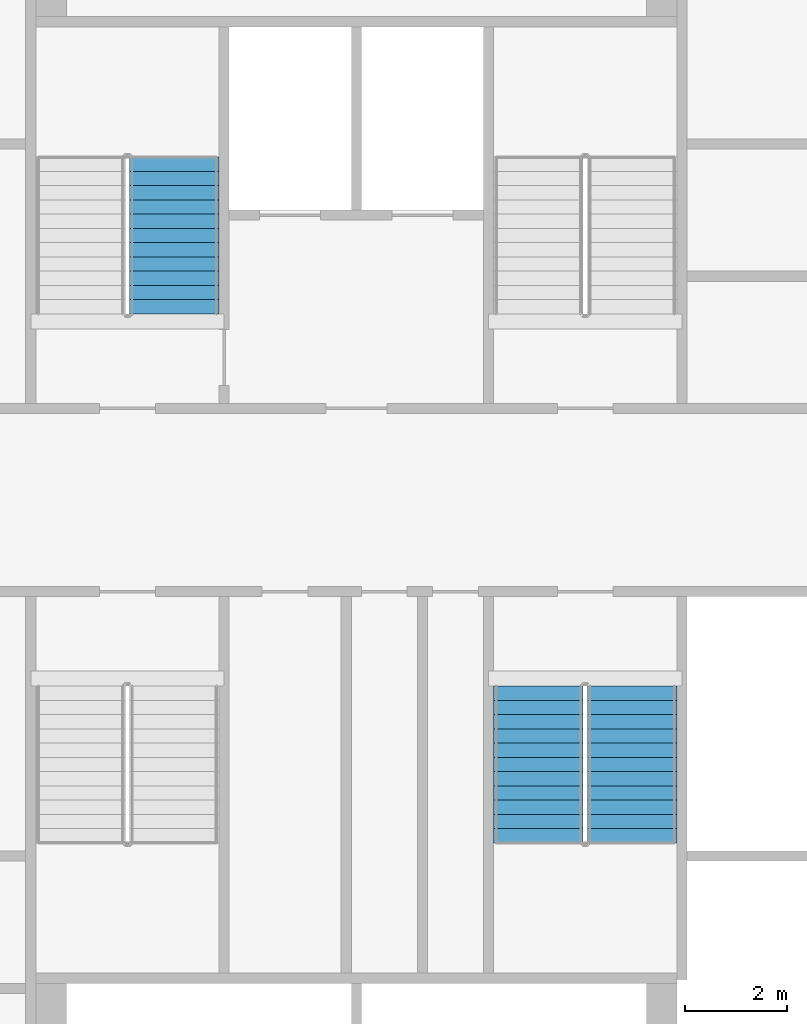
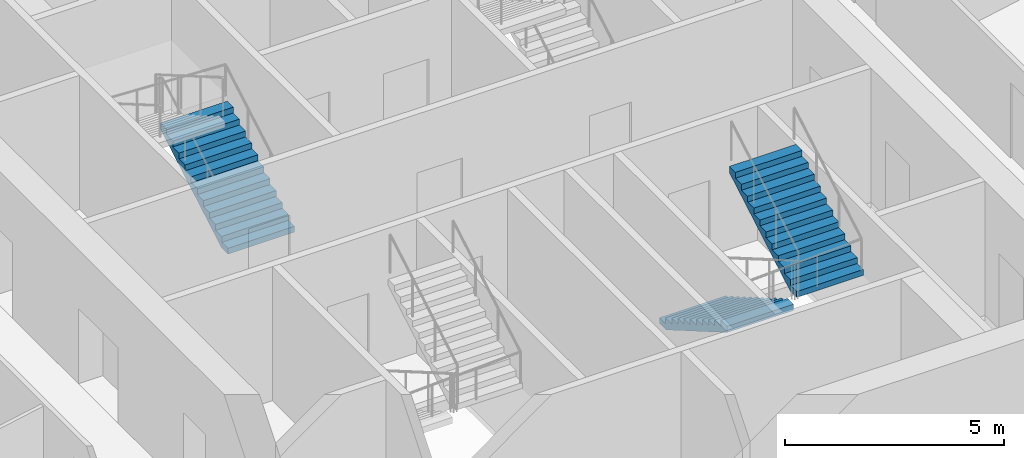
# One storey, part 18 of 24: 3 stair flights, 2 elements without a shape of their own.
"""IFC4 building model written with IfcOpenShell, lengths in metres."""

from ifc_helpers import new_model, si_unit, direction, frame, origin, place, context, subcontext, project, spatial, faceted_brep, material, type_object, element, aggregate, save


model = new_model("IFC4")

# Units and contexts
model_context = context("Model", 3, precision=1e-05, world=origin(), true_north=direction((0.0, 1.0)))
body_context = subcontext(model_context, "Body", "Model", "MODEL_VIEW")
ifc_project = project(units=[si_unit("LENGTHUNIT", "METRE"), si_unit("AREAUNIT", "SQUARE_METRE"), si_unit("VOLUMEUNIT", "CUBIC_METRE"), si_unit("PLANEANGLEUNIT", "RADIAN"), si_unit("MASSUNIT", "GRAM", prefix="KILO")], contexts=[model_context])

# Site, building, storey
site_placement = place(None, origin())
site = spatial("IfcSite", under=ifc_project, at=site_placement, CompositionType="ELEMENT")
building_placement = place(site_placement, origin())
building = spatial("IfcBuilding", under=site, at=building_placement, Name="Tarsis Ring Headquarters", CompositionType="ELEMENT")
storey_placement = place(building_placement, frame((0.0, 0.0, 178.800048828125)))
storey = spatial("IfcBuildingStorey", under=building, at=storey_placement, Name="L41", CompositionType="ELEMENT", Elevation=178.800048828125)

# Stair, stair flight
ifc_material_1 = material(Name="Core stair 1760")
stair_type = type_object("IfcStairType", Name="Core stair 1760", PredefinedType="HALF_TURN_STAIR", material=ifc_material_1)
stair_1_placement = place(storey_placement, origin())
stair_1 = element("IfcStair", 1, at=stair_1_placement, inside=storey, type_object=stair_type, Name="L41 Firefighting stair", PredefinedType="HALF_TURN_STAIR")
ifc_material_2 = material(Name="Concrete C40/50", Category="concrete")
stair_flight_type = type_object("IfcStairFlightType", Name="Core stair flight 1760", PredefinedType="STRAIGHT", material=ifc_material_2)
stair_flight_1_placement = place(storey_placement, frame((-3.580078125, 3.659912109375, 0.0), z_axis=(0.0, 0.0, 1.0), x_axis=(0.0, 1.0, 0.0)))
stair_flight_1 = element("IfcStairFlight", 2, at=stair_flight_1_placement, type_object=stair_flight_type, Name="Stair ST1 flight 1", NumberOfRisers=12, NumberOfTreads=11, PredefinedType="STRAIGHT", RiserHeight=0.1625, TreadLength=0.28, context=body_context, shape_type="Brep", body=[
    faceted_brep([(0.0, 0.8798828125, 0.0), (0.0, 0.8798828125, 0.16259765625), (0.280029296875, 0.8798828125, 0.16259765625), (0.280029296875, 0.8798828125, 0.324951171875), (0.56005859375, 0.8798828125, 0.324951171875), (0.56005859375, 0.8798828125, 0.487548828125), (0.840087890625, 0.8798828125, 0.487548828125), (0.840087890625, 0.8798828125, 0.64990234375), (1.1201171875, 0.8798828125, 0.64990234375), (1.1201171875, 0.8798828125, 0.8125), (1.39990234375, 0.8798828125, 0.8125), (1.39990234375, 0.8798828125, 0.97509765625), (1.679931640625, 0.8798828125, 0.97509765625), (1.679931640625, 0.8798828125, 1.137451171875), (1.9599609375, 0.8798828125, 1.137451171875), (1.9599609375, 0.8798828125, 1.300048828125), (2.239990234375, 0.8798828125, 1.300048828125), (2.239990234375, 0.8798828125, 1.46240234375), (2.52001953125, 0.8798828125, 1.46240234375), (2.52001953125, 0.8798828125, 1.625), (2.800048828125, 0.8798828125, 1.625), (2.800048828125, 0.8798828125, 1.78759765625), (3.080078125, 0.8798828125, 1.78759765625), (3.080078125, 0.8798828125, 1.6142578125), (0.298583984375, 0.8798828125, 0.0), (0.298583984375, -0.8798828125, 0.0), (3.080078125, -0.8798828125, 1.6142578125), (3.080078125, -0.8798828125, 1.78759765625), (2.800048828125, -0.8798828125, 1.78759765625), (2.800048828125, -0.8798828125, 1.625), (2.52001953125, -0.8798828125, 1.625), (2.52001953125, -0.8798828125, 1.46240234375), (2.239990234375, -0.8798828125, 1.46240234375), (2.239990234375, -0.8798828125, 1.300048828125), (1.9599609375, -0.8798828125, 1.300048828125), (1.9599609375, -0.8798828125, 1.137451171875), (1.679931640625, -0.8798828125, 1.137451171875), (1.679931640625, -0.8798828125, 0.97509765625), (1.39990234375, -0.8798828125, 0.97509765625), (1.39990234375, -0.8798828125, 0.8125), (1.1201171875, -0.8798828125, 0.8125), (1.1201171875, -0.8798828125, 0.64990234375), (0.840087890625, -0.8798828125, 0.64990234375), (0.840087890625, -0.8798828125, 0.487548828125), (0.56005859375, -0.8798828125, 0.487548828125), (0.56005859375, -0.8798828125, 0.324951171875), (0.280029296875, -0.8798828125, 0.324951171875), (0.280029296875, -0.8798828125, 0.16259765625), (0.0, -0.8798828125, 0.16259765625), (0.0, -0.8798828125, 0.0), (0.0, -0.43994140625, 0.16259765625), (0.0, -0.43994140625, 0.0), (0.0, 0.0, 0.16259765625), (0.0, 0.0, 0.0), (0.0, 0.43994140625, 0.16259765625), (0.0, 0.43994140625, 0.0), (0.280029296875, -0.43994140625, 0.16259765625), (0.280029296875, 0.0, 0.16259765625), (0.280029296875, 0.43994140625, 0.16259765625), (0.280029296875, -0.43994140625, 0.324951171875), (0.280029296875, 0.0, 0.324951171875), (0.280029296875, 0.43994140625, 0.324951171875), (0.56005859375, -0.43994140625, 0.324951171875), (0.56005859375, 0.0, 0.324951171875), (0.56005859375, 0.43994140625, 0.324951171875), (0.56005859375, -0.43994140625, 0.487548828125), (0.56005859375, 0.0, 0.487548828125), (0.56005859375, 0.43994140625, 0.487548828125), (0.840087890625, -0.43994140625, 0.487548828125), (0.840087890625, 0.0, 0.487548828125), (0.840087890625, 0.43994140625, 0.487548828125), (0.840087890625, -0.43994140625, 0.64990234375), (0.840087890625, 0.0, 0.64990234375), (0.840087890625, 0.43994140625, 0.64990234375), (1.1201171875, -0.43994140625, 0.64990234375), (1.1201171875, 0.0, 0.64990234375), (1.1201171875, 0.43994140625, 0.64990234375), (1.1201171875, -0.43994140625, 0.8125), (1.1201171875, 0.0, 0.8125), (1.1201171875, 0.43994140625, 0.8125), (1.39990234375, -0.43994140625, 0.8125), (1.39990234375, 0.0, 0.8125), (1.39990234375, 0.43994140625, 0.8125), (1.39990234375, -0.43994140625, 0.97509765625), (1.39990234375, 0.0, 0.97509765625), (1.39990234375, 0.43994140625, 0.97509765625), (1.679931640625, -0.43994140625, 0.97509765625), (1.679931640625, 0.0, 0.97509765625), (1.679931640625, 0.43994140625, 0.97509765625), (1.679931640625, -0.43994140625, 1.137451171875), (1.679931640625, 0.0, 1.137451171875), (1.679931640625, 0.43994140625, 1.137451171875), (1.9599609375, -0.43994140625, 1.137451171875), (1.9599609375, 0.0, 1.137451171875), (1.9599609375, 0.43994140625, 1.137451171875), (1.9599609375, -0.43994140625, 1.300048828125), (1.9599609375, 0.0, 1.300048828125), (1.9599609375, 0.43994140625, 1.300048828125), (2.239990234375, -0.43994140625, 1.300048828125), (2.239990234375, 0.0, 1.300048828125), (2.239990234375, 0.43994140625, 1.300048828125), (2.239990234375, -0.43994140625, 1.46240234375), (2.239990234375, 0.0, 1.46240234375), (2.239990234375, 0.43994140625, 1.46240234375), (2.52001953125, -0.43994140625, 1.46240234375), (2.52001953125, 0.0, 1.46240234375), (2.52001953125, 0.43994140625, 1.46240234375), (2.52001953125, -0.43994140625, 1.625), (2.52001953125, 0.0, 1.625), (2.52001953125, 0.43994140625, 1.625), (2.800048828125, -0.43994140625, 1.625), (2.800048828125, 0.0, 1.625), (2.800048828125, 0.43994140625, 1.625), (2.800048828125, -0.43994140625, 1.78759765625), (2.800048828125, 0.0, 1.78759765625), (2.800048828125, 0.43994140625, 1.78759765625), (3.080078125, -0.43994140625, 1.78759765625), (3.080078125, 0.0, 1.78759765625), (3.080078125, 0.43994140625, 1.78759765625), (3.080078125, -0.43994140625, 1.6142578125), (3.080078125, 0.0, 1.6142578125), (3.080078125, 0.43994140625, 1.6142578125), (0.298583984375, -0.43994140625, 0.0), (0.298583984375, 0.0, 0.0), (0.298583984375, 0.43994140625, 0.0)], [[[0, 1, 2, 3, 4, 5, 6, 7, 8, 9, 10, 11, 12, 13, 14, 15, 16, 17, 18, 19, 20, 21, 22, 23, 24]], [[25, 26, 27, 28, 29, 30, 31, 32, 33, 34, 35, 36, 37, 38, 39, 40, 41, 42, 43, 44, 45, 46, 47, 48, 49]], [[49, 48, 50, 51]], [[51, 50, 52, 53]], [[53, 52, 54, 55]], [[55, 54, 1, 0]], [[48, 47, 56, 50]], [[50, 56, 57, 52]], [[52, 57, 58, 54]], [[54, 58, 2, 1]], [[47, 46, 59, 56]], [[56, 59, 60, 57]], [[57, 60, 61, 58]], [[58, 61, 3, 2]], [[46, 45, 62, 59]], [[59, 62, 63, 60]], [[60, 63, 64, 61]], [[61, 64, 4, 3]], [[45, 44, 65, 62]], [[62, 65, 66, 63]], [[63, 66, 67, 64]], [[64, 67, 5, 4]], [[44, 43, 68, 65]], [[65, 68, 69, 66]], [[66, 69, 70, 67]], [[67, 70, 6, 5]], [[43, 42, 71, 68]], [[68, 71, 72, 69]], [[69, 72, 73, 70]], [[70, 73, 7, 6]], [[42, 41, 74, 71]], [[71, 74, 75, 72]], [[72, 75, 76, 73]], [[73, 76, 8, 7]], [[41, 40, 77, 74]], [[74, 77, 78, 75]], [[75, 78, 79, 76]], [[76, 79, 9, 8]], [[40, 39, 80, 77]], [[77, 80, 81, 78]], [[78, 81, 82, 79]], [[79, 82, 10, 9]], [[39, 38, 83, 80]], [[80, 83, 84, 81]], [[81, 84, 85, 82]], [[82, 85, 11, 10]], [[38, 37, 86, 83]], [[83, 86, 87, 84]], [[84, 87, 88, 85]], [[85, 88, 12, 11]], [[37, 36, 89, 86]], [[86, 89, 90, 87]], [[87, 90, 91, 88]], [[88, 91, 13, 12]], [[36, 35, 92, 89]], [[89, 92, 93, 90]], [[90, 93, 94, 91]], [[91, 94, 14, 13]], [[35, 34, 95, 92]], [[92, 95, 96, 93]], [[93, 96, 97, 94]], [[94, 97, 15, 14]], [[34, 33, 98, 95]], [[95, 98, 99, 96]], [[96, 99, 100, 97]], [[97, 100, 16, 15]], [[33, 32, 101, 98]], [[98, 101, 102, 99]], [[99, 102, 103, 100]], [[100, 103, 17, 16]], [[32, 31, 104, 101]], [[101, 104, 105, 102]], [[102, 105, 106, 103]], [[103, 106, 18, 17]], [[31, 30, 107, 104]], [[104, 107, 108, 105]], [[105, 108, 109, 106]], [[106, 109, 19, 18]], [[30, 29, 110, 107]], [[107, 110, 111, 108]], [[108, 111, 112, 109]], [[109, 112, 20, 19]], [[29, 28, 113, 110]], [[110, 113, 114, 111]], [[111, 114, 115, 112]], [[112, 115, 21, 20]], [[28, 27, 116, 113]], [[113, 116, 117, 114]], [[114, 117, 118, 115]], [[115, 118, 22, 21]], [[27, 26, 119, 116]], [[116, 119, 120, 117]], [[117, 120, 121, 118]], [[118, 121, 23, 22]], [[26, 25, 122, 119]], [[119, 122, 123, 120]], [[120, 123, 124, 121]], [[121, 124, 24, 23]], [[25, 49, 51, 122]], [[122, 51, 53, 123]], [[123, 53, 55, 124]], [[124, 55, 0, 24]]]),
])
aggregate(stair_1, [stair_flight_1])

# Stair, stair flights
stair_2_placement = place(storey_placement, origin())
stair_2 = element("IfcStair", 3, at=stair_2_placement, inside=storey, type_object=stair_type, Name="L41 Exit stair D", PredefinedType="HALF_TURN_STAIR")
stair_flight_2_placement = place(storey_placement, frame((3.580078125, -3.659912109375, 0.0), z_axis=(0.0, 0.0, 1.0), x_axis=(0.0, -1.0, 0.0)))
stair_flight_2 = element("IfcStairFlight", 4, at=stair_flight_2_placement, type_object=stair_flight_type, Name="Stair ST4 flight 1", NumberOfRisers=12, NumberOfTreads=11, PredefinedType="STRAIGHT", RiserHeight=0.1625, TreadLength=0.28, context=body_context, shape_type="Brep", body=[
    faceted_brep([(0.0, 0.8798828125, 0.0), (0.0, 0.8798828125, 0.16259765625), (0.280029296875, 0.8798828125, 0.16259765625), (0.280029296875, 0.8798828125, 0.324951171875), (0.56005859375, 0.8798828125, 0.324951171875), (0.56005859375, 0.8798828125, 0.487548828125), (0.840087890625, 0.8798828125, 0.487548828125), (0.840087890625, 0.8798828125, 0.64990234375), (1.1201171875, 0.8798828125, 0.64990234375), (1.1201171875, 0.8798828125, 0.8125), (1.39990234375, 0.8798828125, 0.8125), (1.39990234375, 0.8798828125, 0.97509765625), (1.679931640625, 0.8798828125, 0.97509765625), (1.679931640625, 0.8798828125, 1.137451171875), (1.9599609375, 0.8798828125, 1.137451171875), (1.9599609375, 0.8798828125, 1.300048828125), (2.239990234375, 0.8798828125, 1.300048828125), (2.239990234375, 0.8798828125, 1.46240234375), (2.52001953125, 0.8798828125, 1.46240234375), (2.52001953125, 0.8798828125, 1.625), (2.800048828125, 0.8798828125, 1.625), (2.800048828125, 0.8798828125, 1.78759765625), (3.080078125, 0.8798828125, 1.78759765625), (3.080078125, 0.8798828125, 1.6142578125), (0.298583984375, 0.8798828125, 0.0), (0.298583984375, -0.8798828125, 0.0), (3.080078125, -0.8798828125, 1.6142578125), (3.080078125, -0.8798828125, 1.78759765625), (2.800048828125, -0.8798828125, 1.78759765625), (2.800048828125, -0.8798828125, 1.625), (2.52001953125, -0.8798828125, 1.625), (2.52001953125, -0.8798828125, 1.46240234375), (2.239990234375, -0.8798828125, 1.46240234375), (2.239990234375, -0.8798828125, 1.300048828125), (1.9599609375, -0.8798828125, 1.300048828125), (1.9599609375, -0.8798828125, 1.137451171875), (1.679931640625, -0.8798828125, 1.137451171875), (1.679931640625, -0.8798828125, 0.97509765625), (1.39990234375, -0.8798828125, 0.97509765625), (1.39990234375, -0.8798828125, 0.8125), (1.1201171875, -0.8798828125, 0.8125), (1.1201171875, -0.8798828125, 0.64990234375), (0.840087890625, -0.8798828125, 0.64990234375), (0.840087890625, -0.8798828125, 0.487548828125), (0.56005859375, -0.8798828125, 0.487548828125), (0.56005859375, -0.8798828125, 0.324951171875), (0.280029296875, -0.8798828125, 0.324951171875), (0.280029296875, -0.8798828125, 0.16259765625), (0.0, -0.8798828125, 0.16259765625), (0.0, -0.8798828125, 0.0), (0.0, -0.43994140625, 0.16259765625), (0.0, -0.43994140625, 0.0), (0.0, 0.0, 0.16259765625), (0.0, 0.0, 0.0), (0.0, 0.43994140625, 0.16259765625), (0.0, 0.43994140625, 0.0), (0.280029296875, -0.43994140625, 0.16259765625), (0.280029296875, 0.0, 0.16259765625), (0.280029296875, 0.43994140625, 0.16259765625), (0.280029296875, -0.43994140625, 0.324951171875), (0.280029296875, 0.0, 0.324951171875), (0.280029296875, 0.43994140625, 0.324951171875), (0.56005859375, -0.43994140625, 0.324951171875), (0.56005859375, 0.0, 0.324951171875), (0.56005859375, 0.43994140625, 0.324951171875), (0.56005859375, -0.43994140625, 0.487548828125), (0.56005859375, 0.0, 0.487548828125), (0.56005859375, 0.43994140625, 0.487548828125), (0.840087890625, -0.43994140625, 0.487548828125), (0.840087890625, 0.0, 0.487548828125), (0.840087890625, 0.43994140625, 0.487548828125), (0.840087890625, -0.43994140625, 0.64990234375), (0.840087890625, 0.0, 0.64990234375), (0.840087890625, 0.43994140625, 0.64990234375), (1.1201171875, -0.43994140625, 0.64990234375), (1.1201171875, 0.0, 0.64990234375), (1.1201171875, 0.43994140625, 0.64990234375), (1.1201171875, -0.43994140625, 0.8125), (1.1201171875, 0.0, 0.8125), (1.1201171875, 0.43994140625, 0.8125), (1.39990234375, -0.43994140625, 0.8125), (1.39990234375, 0.0, 0.8125), (1.39990234375, 0.43994140625, 0.8125), (1.39990234375, -0.43994140625, 0.97509765625), (1.39990234375, 0.0, 0.97509765625), (1.39990234375, 0.43994140625, 0.97509765625), (1.679931640625, -0.43994140625, 0.97509765625), (1.679931640625, 0.0, 0.97509765625), (1.679931640625, 0.43994140625, 0.97509765625), (1.679931640625, -0.43994140625, 1.137451171875), (1.679931640625, 0.0, 1.137451171875), (1.679931640625, 0.43994140625, 1.137451171875), (1.9599609375, -0.43994140625, 1.137451171875), (1.9599609375, 0.0, 1.137451171875), (1.9599609375, 0.43994140625, 1.137451171875), (1.9599609375, -0.43994140625, 1.300048828125), (1.9599609375, 0.0, 1.300048828125), (1.9599609375, 0.43994140625, 1.300048828125), (2.239990234375, -0.43994140625, 1.300048828125), (2.239990234375, 0.0, 1.300048828125), (2.239990234375, 0.43994140625, 1.300048828125), (2.239990234375, -0.43994140625, 1.46240234375), (2.239990234375, 0.0, 1.46240234375), (2.239990234375, 0.43994140625, 1.46240234375), (2.52001953125, -0.43994140625, 1.46240234375), (2.52001953125, 0.0, 1.46240234375), (2.52001953125, 0.43994140625, 1.46240234375), (2.52001953125, -0.43994140625, 1.625), (2.52001953125, 0.0, 1.625), (2.52001953125, 0.43994140625, 1.625), (2.800048828125, -0.43994140625, 1.625), (2.800048828125, 0.0, 1.625), (2.800048828125, 0.43994140625, 1.625), (2.800048828125, -0.43994140625, 1.78759765625), (2.800048828125, 0.0, 1.78759765625), (2.800048828125, 0.43994140625, 1.78759765625), (3.080078125, -0.43994140625, 1.78759765625), (3.080078125, 0.0, 1.78759765625), (3.080078125, 0.43994140625, 1.78759765625), (3.080078125, -0.43994140625, 1.6142578125), (3.080078125, 0.0, 1.6142578125), (3.080078125, 0.43994140625, 1.6142578125), (0.298583984375, -0.43994140625, 0.0), (0.298583984375, 0.0, 0.0), (0.298583984375, 0.43994140625, 0.0)], [[[0, 1, 2, 3, 4, 5, 6, 7, 8, 9, 10, 11, 12, 13, 14, 15, 16, 17, 18, 19, 20, 21, 22, 23, 24]], [[25, 26, 27, 28, 29, 30, 31, 32, 33, 34, 35, 36, 37, 38, 39, 40, 41, 42, 43, 44, 45, 46, 47, 48, 49]], [[49, 48, 50, 51]], [[51, 50, 52, 53]], [[53, 52, 54, 55]], [[55, 54, 1, 0]], [[48, 47, 56, 50]], [[50, 56, 57, 52]], [[52, 57, 58, 54]], [[54, 58, 2, 1]], [[47, 46, 59, 56]], [[56, 59, 60, 57]], [[57, 60, 61, 58]], [[58, 61, 3, 2]], [[46, 45, 62, 59]], [[59, 62, 63, 60]], [[60, 63, 64, 61]], [[61, 64, 4, 3]], [[45, 44, 65, 62]], [[62, 65, 66, 63]], [[63, 66, 67, 64]], [[64, 67, 5, 4]], [[44, 43, 68, 65]], [[65, 68, 69, 66]], [[66, 69, 70, 67]], [[67, 70, 6, 5]], [[43, 42, 71, 68]], [[68, 71, 72, 69]], [[69, 72, 73, 70]], [[70, 73, 7, 6]], [[42, 41, 74, 71]], [[71, 74, 75, 72]], [[72, 75, 76, 73]], [[73, 76, 8, 7]], [[41, 40, 77, 74]], [[74, 77, 78, 75]], [[75, 78, 79, 76]], [[76, 79, 9, 8]], [[40, 39, 80, 77]], [[77, 80, 81, 78]], [[78, 81, 82, 79]], [[79, 82, 10, 9]], [[39, 38, 83, 80]], [[80, 83, 84, 81]], [[81, 84, 85, 82]], [[82, 85, 11, 10]], [[38, 37, 86, 83]], [[83, 86, 87, 84]], [[84, 87, 88, 85]], [[85, 88, 12, 11]], [[37, 36, 89, 86]], [[86, 89, 90, 87]], [[87, 90, 91, 88]], [[88, 91, 13, 12]], [[36, 35, 92, 89]], [[89, 92, 93, 90]], [[90, 93, 94, 91]], [[91, 94, 14, 13]], [[35, 34, 95, 92]], [[92, 95, 96, 93]], [[93, 96, 97, 94]], [[94, 97, 15, 14]], [[34, 33, 98, 95]], [[95, 98, 99, 96]], [[96, 99, 100, 97]], [[97, 100, 16, 15]], [[33, 32, 101, 98]], [[98, 101, 102, 99]], [[99, 102, 103, 100]], [[100, 103, 17, 16]], [[32, 31, 104, 101]], [[101, 104, 105, 102]], [[102, 105, 106, 103]], [[103, 106, 18, 17]], [[31, 30, 107, 104]], [[104, 107, 108, 105]], [[105, 108, 109, 106]], [[106, 109, 19, 18]], [[30, 29, 110, 107]], [[107, 110, 111, 108]], [[108, 111, 112, 109]], [[109, 112, 20, 19]], [[29, 28, 113, 110]], [[110, 113, 114, 111]], [[111, 114, 115, 112]], [[112, 115, 21, 20]], [[28, 27, 116, 113]], [[113, 116, 117, 114]], [[114, 117, 118, 115]], [[115, 118, 22, 21]], [[27, 26, 119, 116]], [[116, 119, 120, 117]], [[117, 120, 121, 118]], [[118, 121, 23, 22]], [[26, 25, 122, 119]], [[119, 122, 123, 120]], [[120, 123, 124, 121]], [[121, 124, 24, 23]], [[25, 49, 51, 122]], [[122, 51, 53, 123]], [[123, 53, 55, 124]], [[124, 55, 0, 24]]]),
])
stair_flight_3_placement = place(storey_placement, frame((5.419921875, -6.739990234375, 1.949951171875), z_axis=(0.0, 0.0, 1.0), x_axis=(0.0, 1.0, 0.0)))
stair_flight_3 = element("IfcStairFlight", 5, at=stair_flight_3_placement, type_object=stair_flight_type, Name="Stair ST4 flight 2", NumberOfRisers=12, NumberOfTreads=11, PredefinedType="STRAIGHT", RiserHeight=0.1625, TreadLength=0.28, context=body_context, shape_type="Brep", body=[
    faceted_brep([(0.0, 0.8798828125, 0.0), (0.0, 0.8798828125, 0.16259765625), (0.280029296875, 0.8798828125, 0.16259765625), (0.280029296875, 0.8798828125, 0.324951171875), (0.56005859375, 0.8798828125, 0.324951171875), (0.56005859375, 0.8798828125, 0.487548828125), (0.840087890625, 0.8798828125, 0.487548828125), (0.840087890625, 0.8798828125, 0.64990234375), (1.1201171875, 0.8798828125, 0.64990234375), (1.1201171875, 0.8798828125, 0.8125), (1.39990234375, 0.8798828125, 0.8125), (1.39990234375, 0.8798828125, 0.97509765625), (1.679931640625, 0.8798828125, 0.97509765625), (1.679931640625, 0.8798828125, 1.137451171875), (1.9599609375, 0.8798828125, 1.137451171875), (1.9599609375, 0.8798828125, 1.300048828125), (2.239990234375, 0.8798828125, 1.300048828125), (2.239990234375, 0.8798828125, 1.46240234375), (2.52001953125, 0.8798828125, 1.46240234375), (2.52001953125, 0.8798828125, 1.625), (2.800048828125, 0.8798828125, 1.625), (2.800048828125, 0.8798828125, 1.78759765625), (3.080078125, 0.8798828125, 1.78759765625), (3.080078125, 0.8798828125, 1.6142578125), (0.298583984375, 0.8798828125, 0.0), (0.298583984375, -0.8798828125, 0.0), (3.080078125, -0.8798828125, 1.6142578125), (3.080078125, -0.8798828125, 1.78759765625), (2.800048828125, -0.8798828125, 1.78759765625), (2.800048828125, -0.8798828125, 1.625), (2.52001953125, -0.8798828125, 1.625), (2.52001953125, -0.8798828125, 1.46240234375), (2.239990234375, -0.8798828125, 1.46240234375), (2.239990234375, -0.8798828125, 1.300048828125), (1.9599609375, -0.8798828125, 1.300048828125), (1.9599609375, -0.8798828125, 1.137451171875), (1.679931640625, -0.8798828125, 1.137451171875), (1.679931640625, -0.8798828125, 0.97509765625), (1.39990234375, -0.8798828125, 0.97509765625), (1.39990234375, -0.8798828125, 0.8125), (1.1201171875, -0.8798828125, 0.8125), (1.1201171875, -0.8798828125, 0.64990234375), (0.840087890625, -0.8798828125, 0.64990234375), (0.840087890625, -0.8798828125, 0.487548828125), (0.56005859375, -0.8798828125, 0.487548828125), (0.56005859375, -0.8798828125, 0.324951171875), (0.280029296875, -0.8798828125, 0.324951171875), (0.280029296875, -0.8798828125, 0.16259765625), (0.0, -0.8798828125, 0.16259765625), (0.0, -0.8798828125, 0.0), (0.0, -0.43994140625, 0.16259765625), (0.0, -0.43994140625, 0.0), (0.0, 0.0, 0.16259765625), (0.0, 0.0, 0.0), (0.0, 0.43994140625, 0.16259765625), (0.0, 0.43994140625, 0.0), (0.280029296875, -0.43994140625, 0.16259765625), (0.280029296875, 0.0, 0.16259765625), (0.280029296875, 0.43994140625, 0.16259765625), (0.280029296875, -0.43994140625, 0.324951171875), (0.280029296875, 0.0, 0.324951171875), (0.280029296875, 0.43994140625, 0.324951171875), (0.56005859375, -0.43994140625, 0.324951171875), (0.56005859375, 0.0, 0.324951171875), (0.56005859375, 0.43994140625, 0.324951171875), (0.56005859375, -0.43994140625, 0.487548828125), (0.56005859375, 0.0, 0.487548828125), (0.56005859375, 0.43994140625, 0.487548828125), (0.840087890625, -0.43994140625, 0.487548828125), (0.840087890625, 0.0, 0.487548828125), (0.840087890625, 0.43994140625, 0.487548828125), (0.840087890625, -0.43994140625, 0.64990234375), (0.840087890625, 0.0, 0.64990234375), (0.840087890625, 0.43994140625, 0.64990234375), (1.1201171875, -0.43994140625, 0.64990234375), (1.1201171875, 0.0, 0.64990234375), (1.1201171875, 0.43994140625, 0.64990234375), (1.1201171875, -0.43994140625, 0.8125), (1.1201171875, 0.0, 0.8125), (1.1201171875, 0.43994140625, 0.8125), (1.39990234375, -0.43994140625, 0.8125), (1.39990234375, 0.0, 0.8125), (1.39990234375, 0.43994140625, 0.8125), (1.39990234375, -0.43994140625, 0.97509765625), (1.39990234375, 0.0, 0.97509765625), (1.39990234375, 0.43994140625, 0.97509765625), (1.679931640625, -0.43994140625, 0.97509765625), (1.679931640625, 0.0, 0.97509765625), (1.679931640625, 0.43994140625, 0.97509765625), (1.679931640625, -0.43994140625, 1.137451171875), (1.679931640625, 0.0, 1.137451171875), (1.679931640625, 0.43994140625, 1.137451171875), (1.9599609375, -0.43994140625, 1.137451171875), (1.9599609375, 0.0, 1.137451171875), (1.9599609375, 0.43994140625, 1.137451171875), (1.9599609375, -0.43994140625, 1.300048828125), (1.9599609375, 0.0, 1.300048828125), (1.9599609375, 0.43994140625, 1.300048828125), (2.239990234375, -0.43994140625, 1.300048828125), (2.239990234375, 0.0, 1.300048828125), (2.239990234375, 0.43994140625, 1.300048828125), (2.239990234375, -0.43994140625, 1.46240234375), (2.239990234375, 0.0, 1.46240234375), (2.239990234375, 0.43994140625, 1.46240234375), (2.52001953125, -0.43994140625, 1.46240234375), (2.52001953125, 0.0, 1.46240234375), (2.52001953125, 0.43994140625, 1.46240234375), (2.52001953125, -0.43994140625, 1.625), (2.52001953125, 0.0, 1.625), (2.52001953125, 0.43994140625, 1.625), (2.800048828125, -0.43994140625, 1.625), (2.800048828125, 0.0, 1.625), (2.800048828125, 0.43994140625, 1.625), (2.800048828125, -0.43994140625, 1.78759765625), (2.800048828125, 0.0, 1.78759765625), (2.800048828125, 0.43994140625, 1.78759765625), (3.080078125, -0.43994140625, 1.78759765625), (3.080078125, 0.0, 1.78759765625), (3.080078125, 0.43994140625, 1.78759765625), (3.080078125, -0.43994140625, 1.6142578125), (3.080078125, 0.0, 1.6142578125), (3.080078125, 0.43994140625, 1.6142578125), (0.298583984375, -0.43994140625, 0.0), (0.298583984375, 0.0, 0.0), (0.298583984375, 0.43994140625, 0.0)], [[[0, 1, 2, 3, 4, 5, 6, 7, 8, 9, 10, 11, 12, 13, 14, 15, 16, 17, 18, 19, 20, 21, 22, 23, 24]], [[25, 26, 27, 28, 29, 30, 31, 32, 33, 34, 35, 36, 37, 38, 39, 40, 41, 42, 43, 44, 45, 46, 47, 48, 49]], [[49, 48, 50, 51]], [[51, 50, 52, 53]], [[53, 52, 54, 55]], [[55, 54, 1, 0]], [[48, 47, 56, 50]], [[50, 56, 57, 52]], [[52, 57, 58, 54]], [[54, 58, 2, 1]], [[47, 46, 59, 56]], [[56, 59, 60, 57]], [[57, 60, 61, 58]], [[58, 61, 3, 2]], [[46, 45, 62, 59]], [[59, 62, 63, 60]], [[60, 63, 64, 61]], [[61, 64, 4, 3]], [[45, 44, 65, 62]], [[62, 65, 66, 63]], [[63, 66, 67, 64]], [[64, 67, 5, 4]], [[44, 43, 68, 65]], [[65, 68, 69, 66]], [[66, 69, 70, 67]], [[67, 70, 6, 5]], [[43, 42, 71, 68]], [[68, 71, 72, 69]], [[69, 72, 73, 70]], [[70, 73, 7, 6]], [[42, 41, 74, 71]], [[71, 74, 75, 72]], [[72, 75, 76, 73]], [[73, 76, 8, 7]], [[41, 40, 77, 74]], [[74, 77, 78, 75]], [[75, 78, 79, 76]], [[76, 79, 9, 8]], [[40, 39, 80, 77]], [[77, 80, 81, 78]], [[78, 81, 82, 79]], [[79, 82, 10, 9]], [[39, 38, 83, 80]], [[80, 83, 84, 81]], [[81, 84, 85, 82]], [[82, 85, 11, 10]], [[38, 37, 86, 83]], [[83, 86, 87, 84]], [[84, 87, 88, 85]], [[85, 88, 12, 11]], [[37, 36, 89, 86]], [[86, 89, 90, 87]], [[87, 90, 91, 88]], [[88, 91, 13, 12]], [[36, 35, 92, 89]], [[89, 92, 93, 90]], [[90, 93, 94, 91]], [[91, 94, 14, 13]], [[35, 34, 95, 92]], [[92, 95, 96, 93]], [[93, 96, 97, 94]], [[94, 97, 15, 14]], [[34, 33, 98, 95]], [[95, 98, 99, 96]], [[96, 99, 100, 97]], [[97, 100, 16, 15]], [[33, 32, 101, 98]], [[98, 101, 102, 99]], [[99, 102, 103, 100]], [[100, 103, 17, 16]], [[32, 31, 104, 101]], [[101, 104, 105, 102]], [[102, 105, 106, 103]], [[103, 106, 18, 17]], [[31, 30, 107, 104]], [[104, 107, 108, 105]], [[105, 108, 109, 106]], [[106, 109, 19, 18]], [[30, 29, 110, 107]], [[107, 110, 111, 108]], [[108, 111, 112, 109]], [[109, 112, 20, 19]], [[29, 28, 113, 110]], [[110, 113, 114, 111]], [[111, 114, 115, 112]], [[112, 115, 21, 20]], [[28, 27, 116, 113]], [[113, 116, 117, 114]], [[114, 117, 118, 115]], [[115, 118, 22, 21]], [[27, 26, 119, 116]], [[116, 119, 120, 117]], [[117, 120, 121, 118]], [[118, 121, 23, 22]], [[26, 25, 122, 119]], [[119, 122, 123, 120]], [[120, 123, 124, 121]], [[121, 124, 24, 23]], [[25, 49, 51, 122]], [[122, 51, 53, 123]], [[123, 53, 55, 124]], [[124, 55, 0, 24]]]),
])
aggregate(stair_2, [stair_flight_2, stair_flight_3])

save(model, "model.ifc")
